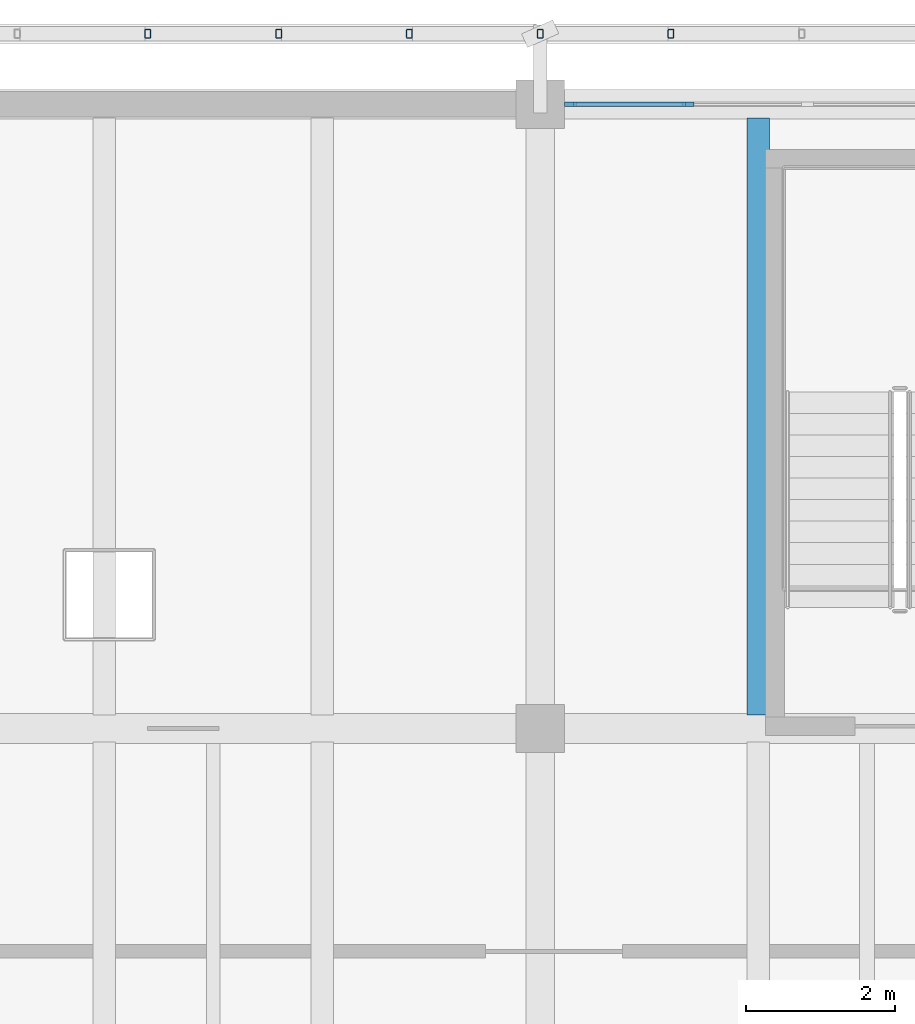
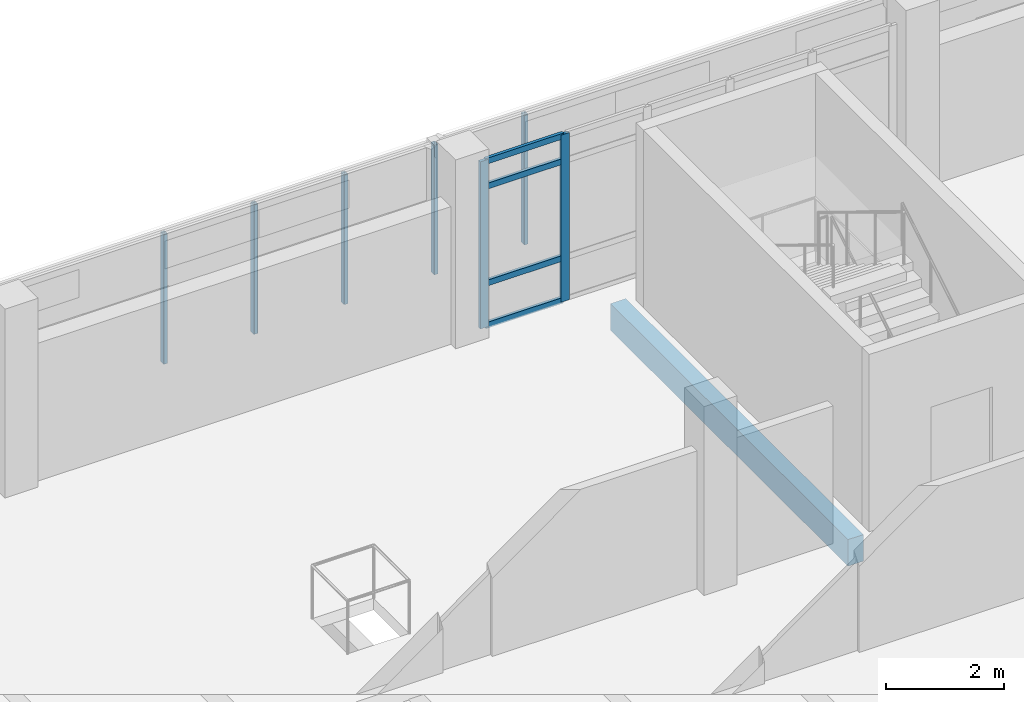
# One storey, part 69 of 117: 11 members, 1 beam, 1 element without a shape of its own.
"""IFC4 building model written with IfcOpenShell, lengths in metres."""

from ifc_helpers import new_model, si_unit, direction, frame, origin, origin_2d, place, context, subcontext, project, spatial, rectangle, hollow_rectangle, extrude, material, material_profile, profile_set, type_object, element, aggregate, save


model = new_model("IFC4")

# Units and contexts
model_context = context("Model", 3, precision=1e-05, world=origin(), true_north=direction((0.0, 1.0)))
body_context = subcontext(model_context, "Body", "Model", "MODEL_VIEW")
ifc_project = project(units=[si_unit("LENGTHUNIT", "METRE"), si_unit("AREAUNIT", "SQUARE_METRE"), si_unit("VOLUMEUNIT", "CUBIC_METRE"), si_unit("PLANEANGLEUNIT", "RADIAN"), si_unit("MASSUNIT", "GRAM", prefix="KILO")], contexts=[model_context])

# Site, building, storey
site_placement = place(None, origin())
site = spatial("IfcSite", under=ifc_project, at=site_placement, CompositionType="ELEMENT")
building_placement = place(site_placement, origin())
building = spatial("IfcBuilding", under=site, at=building_placement, Name="Cinderway Yard Community Centre", CompositionType="ELEMENT")
storey_placement = place(building_placement, frame((0.0, 0.0, 9.0)))
storey = spatial("IfcBuildingStorey", under=building, at=storey_placement, Name="L02", CompositionType="ELEMENT", Elevation=9.0)

# Curtain wall, members
ifc_material_1 = material(Name="Aluminium 6063-T6", Category="aluminium")
curtain_wall_type = type_object("IfcCurtainWallType", Name="ENV-CW-TYPE-30", PredefinedType="USERDEFINED", material=ifc_material_1)
curtain_wall_placement = place(storey_placement, origin())
curtain_wall = element("IfcCurtainWall", 1, at=curtain_wall_placement, inside=storey, type_object=curtain_wall_type, Name="V4 Street Curtain Wall ENV-CW-L02-ST-0154", ObjectType="GLAZED CURTAIN WALL", PredefinedType="USERDEFINED")
ifc_material_profile_1 = material_profile(ifc_material_1, rectangle(XDim=0.06005859375, YDim=0.159912109375, at=origin_2d()), Name="Aluminium 6063-T6")
ifc_profile_set_1 = profile_set([ifc_material_profile_1], Name="Aluminium 6063-T6")
member_type_1 = type_object("IfcMemberType", Name="ENV-CW-MULL-150", PredefinedType="MULLION", material=ifc_profile_set_1)
member_1_placement = place(storey_placement, frame((110.81005859375, 115.199951171875, 0.0), z_axis=(0.0, 0.0, 1.0), x_axis=(0.0, 1.0, 0.0)))
member_1 = element("IfcMember", 2, at=member_1_placement, type_object=member_type_1, Name="CW-30 mullion 1", PredefinedType="MULLION", context=body_context, shape_type="SweptSolid", body=[
    extrude(rectangle(XDim=0.06005859375, YDim=0.159912109375, at=origin_2d()), origin(), (0.0, 0.0, 1.0), 3.449951171875),
])
member_2_placement = place(storey_placement, frame((112.387939453125, 115.199951171875, 0.0), z_axis=(0.0, 0.0, 1.0), x_axis=(0.0, 1.0, 0.0)))
member_2 = element("IfcMember", 3, at=member_2_placement, type_object=member_type_1, Name="CW-30 mullion 2", PredefinedType="MULLION", context=body_context, shape_type="SweptSolid", body=[
    extrude(rectangle(XDim=0.06005859375, YDim=0.159912109375, at=origin_2d()), origin(), (0.0, 0.0, 1.0), 3.449951171875),
])
ifc_material_profile_2 = material_profile(ifc_material_1, rectangle(XDim=0.06005859375, YDim=0.1201171875, at=origin_2d()), Name="Aluminium 6063-T6")
ifc_profile_set_2 = profile_set([ifc_material_profile_2], Name="Aluminium 6063-T6")
member_type_2 = type_object("IfcMemberType", Name="ENV-CW-TRAN-110", PredefinedType="USERDEFINED", material=ifc_profile_set_2)
member_3_placement = place(storey_placement, frame((110.840087890625, 115.199951171875, 0.030029296875), z_axis=(1.0, 0.0, 0.0), x_axis=(0.0, 1.0, 0.0)))
member_3 = element("IfcMember", 4, at=member_3_placement, type_object=member_type_2, Name="CW-30 transom 1.1", ObjectType="TRANSOM", PredefinedType="USERDEFINED", context=body_context, shape_type="SweptSolid", body=[
    extrude(rectangle(XDim=0.06005859375, YDim=0.1201171875, at=origin_2d()), origin(), (0.0, 0.0, 1.0), 1.517822265625),
])
member_4_placement = place(storey_placement, frame((110.840087890625, 115.199951171875, 0.89990234375), z_axis=(1.0, 0.0, 0.0), x_axis=(0.0, 1.0, 0.0)))
member_4 = element("IfcMember", 5, at=member_4_placement, type_object=member_type_2, Name="CW-30 transom 1.2", ObjectType="TRANSOM", PredefinedType="USERDEFINED", context=body_context, shape_type="SweptSolid", body=[
    extrude(rectangle(XDim=0.06005859375, YDim=0.1201171875, at=origin_2d()), origin(), (0.0, 0.0, 1.0), 1.517822265625),
])
member_5_placement = place(storey_placement, frame((110.840087890625, 115.199951171875, 2.89990234375), z_axis=(1.0, 0.0, 0.0), x_axis=(0.0, 1.0, 0.0)))
member_5 = element("IfcMember", 6, at=member_5_placement, type_object=member_type_2, Name="CW-30 transom 1.3", ObjectType="TRANSOM", PredefinedType="USERDEFINED", context=body_context, shape_type="SweptSolid", body=[
    extrude(rectangle(XDim=0.06005859375, YDim=0.1201171875, at=origin_2d()), origin(), (0.0, 0.0, 1.0), 1.517822265625),
])
member_6_placement = place(storey_placement, frame((110.840087890625, 115.199951171875, 3.419921875), z_axis=(1.0, 0.0, 0.0), x_axis=(0.0, 1.0, 0.0)))
member_6 = element("IfcMember", 7, at=member_6_placement, type_object=member_type_2, Name="CW-30 transom 1.4", ObjectType="TRANSOM", PredefinedType="USERDEFINED", context=body_context, shape_type="SweptSolid", body=[
    extrude(rectangle(XDim=0.06005859375, YDim=0.1201171875, at=origin_2d()), origin(), (0.0, 0.0, 1.0), 1.517822265625),
])
aggregate(curtain_wall, [member_1, member_2, member_3, member_4, member_5, member_6])

# Members
ifc_material_2 = material(Name="Steel S355", Category="steel")
ifc_material_profile_3 = material_profile(ifc_material_2, hollow_rectangle(XDim=0.080078125, YDim=0.1201171875, WallThickness=0.00634765625, InnerFilletRadius=0.00634765625, OuterFilletRadius=0.0126953125, at=origin_2d()), Name="Steel S355")
ifc_profile_set_3 = profile_set([ifc_material_profile_3], Name="Steel S355")
member_type_3 = type_object("IfcMemberType", Name="ENV-MEM-SCREEN-RAIL-120", PredefinedType="STRINGER", material=ifc_profile_set_3)
for number, where, z_axis, x_axis, name in (
    (8, (105.1201171875, 116.14990234375, 0.68994140625), (0.0, 0.0, 1.0), (1.0, 0.0, 0.0), "Screen vertical mullion 0158"),
    (9, (106.8798828125, 116.14990234375, 0.68994140625), (0.0, 0.0, 1.0), (1.0, 0.0, 0.0), "Screen vertical mullion 0159"),
    (10, (108.639892578125, 116.14990234375, 0.68994140625), (0.0, 0.0, 1.0), (1.0, 0.0, 0.0), "Screen vertical mullion 0160"),
    (11, (110.39990234375, 116.14990234375, 0.68994140625), (0.0, 0.0, 1.0), (1.0, 0.0, 0.0), "Screen vertical mullion 0161"),
    (12, (112.159912109375, 116.14990234375, 0.68994140625), (0.0, 0.0, 1.0), (1.0, 0.0, 0.0), "Screen vertical mullion 0165"),
):
    element("IfcMember", number, at=place(storey_placement, frame(where, z_axis=z_axis, x_axis=x_axis)), inside=storey, type_object=member_type_3, Name=name, PredefinedType="STRINGER", context=body_context, shape_type="SweptSolid", body=[
        extrude(hollow_rectangle(XDim=0.080078125, YDim=0.1201171875, WallThickness=0.00634765625, InnerFilletRadius=0.00634765625, OuterFilletRadius=0.0126953125, at=origin_2d()), origin(), (0.0, 0.0, 1.0), 2.670166015625),
    ])

# Beam
ifc_material_3 = material(Name="Concrete C35/45", Category="concrete")
ifc_material_profile_4 = material_profile(ifc_material_3, rectangle(XDim=0.300048828125, YDim=0.550048828125, at=origin_2d()), Name="Concrete C35/45")
ifc_profile_set_4 = profile_set([ifc_material_profile_4], Name="Concrete C35/45")
beam_type = type_object("IfcBeamType", Name="STR-BM-RC300X550", PredefinedType="JOIST", material=ifc_profile_set_4)
beam_placement = place(storey_placement, frame((113.3330078125, 106.98193359375, -0.514892578125), z_axis=(0.0, 1.0, 0.0), x_axis=(-1.0, 0.0, 0.0)))
element("IfcBeam", 13, at=beam_placement, inside=storey, type_object=beam_type, Name="Secondary joist STR-BM-L02-BJ03-0631", PredefinedType="JOIST", context=body_context, shape_type="SweptSolid", body=[
    extrude(rectangle(XDim=0.300048828125, YDim=0.550048828125, at=origin_2d()), origin(), (0.0, 0.0, 1.0), 8.0361328125),
])

save(model, "model.ifc")
